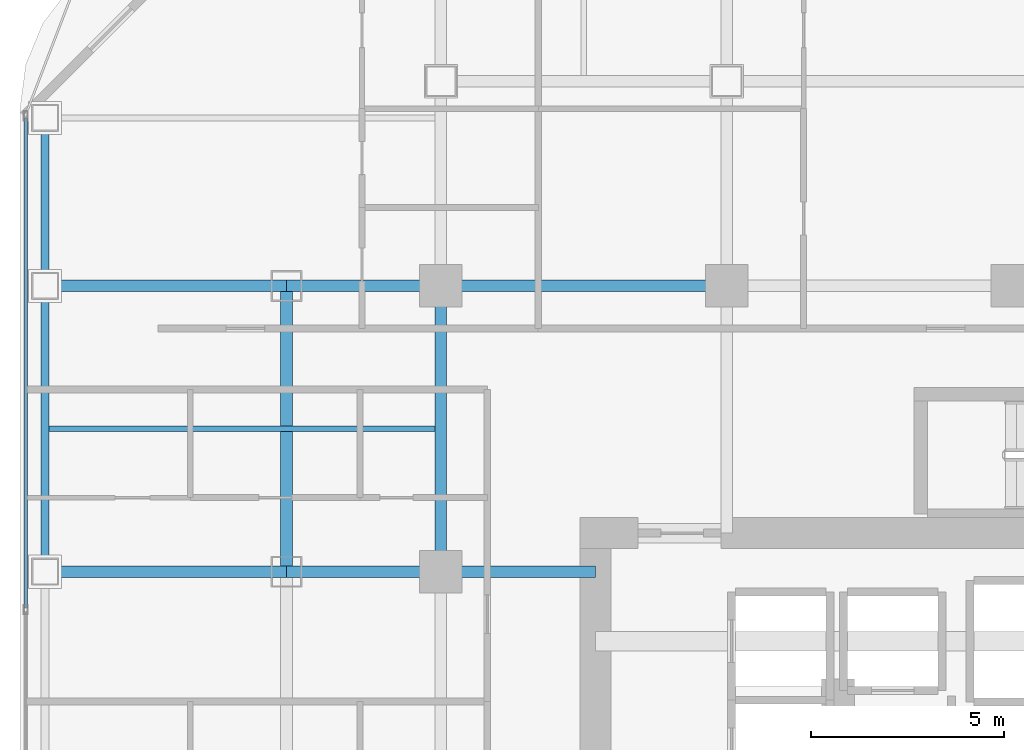
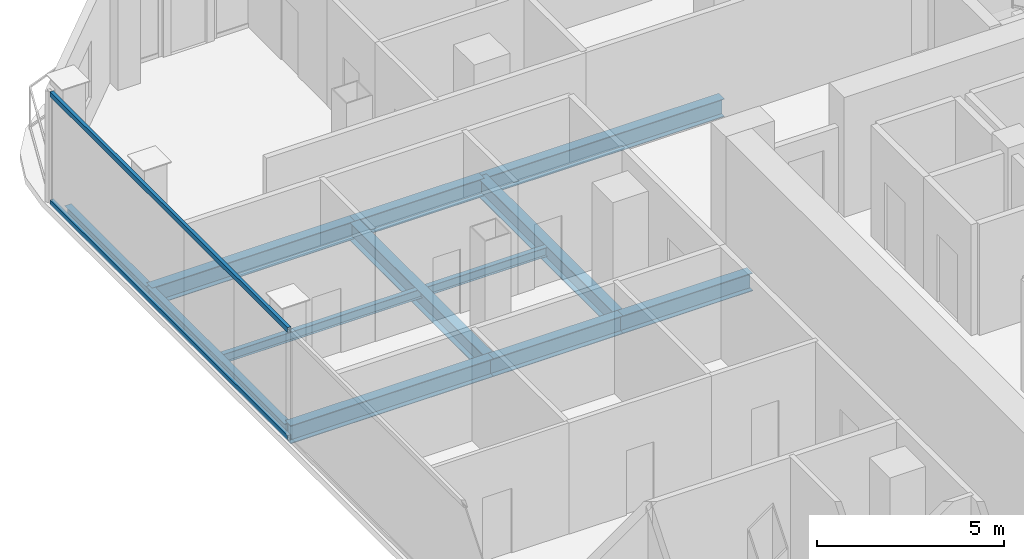
# One storey, part 10 of 26: 11 beams, 2 members, 1 element without a shape of its own.
"""IFC4 building model written with IfcOpenShell, lengths in metres."""

from ifc_helpers import new_model, si_unit, direction, frame, origin, origin_2d, place, context, subcontext, project, spatial, hollow_rectangle, i_section, extrude, material, layer, layer_set, material_profile, profile_set, type_object, element, aggregate, save


model = new_model("IFC4")

# Units and contexts
model_context = context("Model", 3, precision=1e-05, world=origin(), true_north=direction((0.0, 1.0)))
body_context = subcontext(model_context, "Body", "Model", "MODEL_VIEW")
ifc_project = project(units=[si_unit("LENGTHUNIT", "METRE"), si_unit("AREAUNIT", "SQUARE_METRE"), si_unit("VOLUMEUNIT", "CUBIC_METRE"), si_unit("PLANEANGLEUNIT", "RADIAN"), si_unit("MASSUNIT", "GRAM", prefix="KILO")], contexts=[model_context])

# Site, building, storey
site_placement = place(None, origin())
site = spatial("IfcSite", under=ifc_project, at=site_placement, CompositionType="ELEMENT")
building_placement = place(site_placement, origin())
building = spatial("IfcBuilding", under=site, at=building_placement, Name="Khorvyn Point Tower", CompositionType="ELEMENT")
storey_placement = place(building_placement, frame((0.0, 0.0, 187.5)))
storey = spatial("IfcBuildingStorey", under=building, at=storey_placement, Name="L46", CompositionType="ELEMENT", Elevation=187.5)

# Curtain wall, members
ifc_material_1 = material(Name="Anodised aluminium 6063-T6 and laminated Low-E glass", Category="aluminium")
ifc_layer = layer(ifc_material_1, 0.18994140625)
ifc_layer_set = layer_set([ifc_layer], Name="Stick-Built Acoustic Curtain Wall CW-SYS-03")
curtain_wall_type = type_object("IfcCurtainWallType", Name="Stick-Built Acoustic Curtain Wall CW-SYS-03", PredefinedType="NOTDEFINED", material=ifc_layer_set)
curtain_wall_placement = place(storey_placement, origin())
curtain_wall = element("IfcCurtainWall", 1, at=curtain_wall_placement, inside=storey, type_object=curtain_wall_type, Name="Curtain Wall", PredefinedType="NOTDEFINED")
ifc_material_2 = material(Name="Anodised aluminium 6063-T6", Category="aluminium")
ifc_material_profile_1 = material_profile(ifc_material_2, hollow_rectangle(XDim=0.10009765625, YDim=0.159912109375, WallThickness=0.00439453125, at=origin_2d()))
ifc_profile_set_1 = profile_set([ifc_material_profile_1], Name="Anodised aluminium 6063-T6 ALU-TRN-100x160")
member_type = type_object("IfcMemberType", Name="Anodised Aluminium 6063-T6 Transom ALU-TRN-100x160", PredefinedType="USERDEFINED", material=ifc_profile_set_1)
member_1_placement = place(storey_placement, frame((-25.550048828125, 6.466552734375, 0.050048828125), z_axis=(0.0, 1.0, 0.0), x_axis=(-1.0, 0.0, 0.0)))
member_1 = element("IfcMember", 2, at=member_1_placement, type_object=member_type, Name="Transom", ObjectType="TRANSOM", PredefinedType="USERDEFINED", context=body_context, shape_type="SweptSolid", body=[
    extrude(hollow_rectangle(XDim=0.10009765625, YDim=0.159912109375, WallThickness=0.00439453125, at=origin_2d()), origin(), (0.0, 0.0, 1.0), 12.683349609375),
])
member_2_placement = place(storey_placement, frame((-25.550048828125, 6.466552734375, 3.570068359375), z_axis=(0.0, 1.0, 0.0), x_axis=(-1.0, 0.0, 0.0)))
member_2 = element("IfcMember", 3, at=member_2_placement, type_object=member_type, Name="Transom", ObjectType="TRANSOM", PredefinedType="USERDEFINED", context=body_context, shape_type="SweptSolid", body=[
    extrude(hollow_rectangle(XDim=0.10009765625, YDim=0.159912109375, WallThickness=0.00439453125, at=origin_2d()), origin(), (0.0, 0.0, 1.0), 12.683349609375),
])
aggregate(curtain_wall, [member_1, member_2])

# Beams
ifc_material_3 = material(Name="Steel S355", Category="steel")
ifc_material_profile_2 = material_profile(ifc_material_3, i_section(OverallWidth=0.300048828125, OverallDepth=0.587890625, WebThickness=0.011962890625, FlangeThickness=0.02001953125, at=origin_2d()))
ifc_profile_set_2 = profile_set([ifc_material_profile_2], Name="Steel S355 H588x300x12x20")
beam_type_1 = type_object("IfcBeamType", Name="Steel S355 Beam H588x300x12x20", PredefinedType="BEAM", material=ifc_profile_set_2)
beam_1_placement = place(storey_placement, frame((-25.050048828125, 14.800048828125, -0.513916015625), z_axis=(1.0, 0.0, 0.0), x_axis=(0.0, 1.0, 0.0)))
element("IfcBeam", 4, at=beam_1_placement, inside=storey, type_object=beam_type_1, Name="Beam", PredefinedType="BEAM", context=body_context, shape_type="SweptSolid", body=[
    extrude(i_section(OverallWidth=0.300048828125, OverallDepth=0.587890625, WebThickness=0.011962890625, FlangeThickness=0.02001953125, at=origin_2d()), origin(), (0.0, 0.0, 1.0), 6.25),
])
beam_2_placement = place(storey_placement, frame((-18.800048828125, 14.800048828125, -0.513916015625), z_axis=(1.0, 0.0, 0.0), x_axis=(0.0, 1.0, 0.0)))
element("IfcBeam", 5, at=beam_2_placement, inside=storey, type_object=beam_type_1, Name="Beam", PredefinedType="BEAM", context=body_context, shape_type="SweptSolid", body=[
    extrude(i_section(OverallWidth=0.300048828125, OverallDepth=0.587890625, WebThickness=0.011962890625, FlangeThickness=0.02001953125, at=origin_2d()), origin(), (0.0, 0.0, 1.0), 4.0),
])
beam_3_placement = place(storey_placement, frame((-14.800048828125, 14.800048828125, -0.513916015625), z_axis=(1.0, 0.0, 0.0), x_axis=(0.0, 1.0, 0.0)))
element("IfcBeam", 6, at=beam_3_placement, inside=storey, type_object=beam_type_1, Name="Beam", PredefinedType="BEAM", context=body_context, shape_type="SweptSolid", body=[
    extrude(i_section(OverallWidth=0.300048828125, OverallDepth=0.587890625, WebThickness=0.011962890625, FlangeThickness=0.02001953125, at=origin_2d()), origin(), (0.0, 0.0, 1.0), 7.400146484375),
])
beam_4_placement = place(storey_placement, frame((-25.050048828125, 7.39990234375, -0.513916015625), z_axis=(1.0, 0.0, 0.0), x_axis=(0.0, 1.0, 0.0)))
element("IfcBeam", 7, at=beam_4_placement, inside=storey, type_object=beam_type_1, Name="Beam", PredefinedType="BEAM", context=body_context, shape_type="SweptSolid", body=[
    extrude(i_section(OverallWidth=0.300048828125, OverallDepth=0.587890625, WebThickness=0.011962890625, FlangeThickness=0.02001953125, at=origin_2d()), origin(), (0.0, 0.0, 1.0), 6.25),
])
for number, where, z_axis, x_axis, name in (
    (8, (-18.800048828125, 7.39990234375, -0.513916015625), (1.0, 0.0, 0.0), (0.0, 1.0, 0.0), "Beam"),
    (9, (-14.800048828125, 7.39990234375, -0.513916015625), (1.0, 0.0, 0.0), (0.0, 1.0, 0.0), "Beam"),
):
    element("IfcBeam", number, at=place(storey_placement, frame(where, z_axis=z_axis, x_axis=x_axis)), inside=storey, type_object=beam_type_1, Name=name, PredefinedType="BEAM", context=body_context, shape_type="SweptSolid", body=[
        extrude(i_section(OverallWidth=0.300048828125, OverallDepth=0.587890625, WebThickness=0.011962890625, FlangeThickness=0.02001953125, at=origin_2d()), origin(), (0.0, 0.0, 1.0), 4.0),
    ])
for number, where, z_axis, x_axis, name in (
    (10, (-14.800048828125, 7.39990234375, -0.513916015625), (0.0, 1.0, 0.0), (-1.0, 0.0, 0.0), "Beam"),
    (11, (-18.800048828125, 7.39990234375, -0.513916015625), (0.0, 1.0, 0.0), (-1.0, 0.0, 0.0), "Beam"),
):
    element("IfcBeam", number, at=place(storey_placement, frame(where, z_axis=z_axis, x_axis=x_axis)), inside=storey, type_object=beam_type_1, Name=name, PredefinedType="BEAM", context=body_context, shape_type="SweptSolid", body=[
        extrude(i_section(OverallWidth=0.300048828125, OverallDepth=0.587890625, WebThickness=0.011962890625, FlangeThickness=0.02001953125, at=origin_2d()), origin(), (0.0, 0.0, 1.0), 7.400146484375),
    ])
ifc_material_profile_3 = material_profile(ifc_material_3, i_section(OverallWidth=0.14990234375, OverallDepth=0.300048828125, WebThickness=0.006591796875, FlangeThickness=0.009033203125, at=origin_2d()))
ifc_profile_set_3 = profile_set([ifc_material_profile_3], Name="Steel S355 H300x150x6.5x9")
beam_type_2 = type_object("IfcBeamType", Name="Steel S355 Joist H300x150x6.5x9", PredefinedType="JOIST", material=ifc_profile_set_3)
beam_5_placement = place(storey_placement, frame((-24.949951171875, 11.10009765625, -0.3701171875), z_axis=(1.0, 0.0, 0.0), x_axis=(0.0, 1.0, 0.0)))
element("IfcBeam", 12, at=beam_5_placement, inside=storey, type_object=beam_type_2, Name="Beam", PredefinedType="JOIST", context=body_context, shape_type="SweptSolid", body=[
    extrude(i_section(OverallWidth=0.14990234375, OverallDepth=0.300048828125, WebThickness=0.006591796875, FlangeThickness=0.009033203125, at=origin_2d()), origin(), (0.0, 0.0, 1.0), 10.0),
])
ifc_material_profile_4 = material_profile(ifc_material_3, i_section(OverallWidth=0.199951171875, OverallDepth=0.449951171875, WebThickness=0.009033203125, FlangeThickness=0.013916015625, at=origin_2d()))
ifc_profile_set_4 = profile_set([ifc_material_profile_4], Name="Steel S355 H450x200x9x14")
beam_type_3 = type_object("IfcBeamType", Name="Steel S355 Spandrel H450x200x9x14", PredefinedType="SPANDREL", material=ifc_profile_set_4)
beam_6_placement = place(storey_placement, frame((-25.050048828125, 7.39990234375, -0.445068359375), z_axis=(0.0, 1.0, 0.0), x_axis=(-1.0, 0.0, 0.0)))
element("IfcBeam", 13, at=beam_6_placement, inside=storey, type_object=beam_type_3, Name="Beam", PredefinedType="SPANDREL", context=body_context, shape_type="SweptSolid", body=[
    extrude(i_section(OverallWidth=0.199951171875, OverallDepth=0.449951171875, WebThickness=0.009033203125, FlangeThickness=0.013916015625, at=origin_2d()), origin(), (0.0, 0.0, 1.0), 7.400146484375),
])
beam_7_placement = place(storey_placement, frame((-25.050048828125, 14.800048828125, -0.445068359375), z_axis=(0.0, 1.0, 0.0), x_axis=(-1.0, 0.0, 0.0)))
element("IfcBeam", 14, at=beam_7_placement, inside=storey, type_object=beam_type_3, Name="Beam", PredefinedType="SPANDREL", context=body_context, shape_type="SweptSolid", body=[
    extrude(i_section(OverallWidth=0.199951171875, OverallDepth=0.449951171875, WebThickness=0.009033203125, FlangeThickness=0.013916015625, at=origin_2d()), origin(), (0.0, 0.0, 1.0), 4.349853515625),
])

save(model, "model.ifc")
